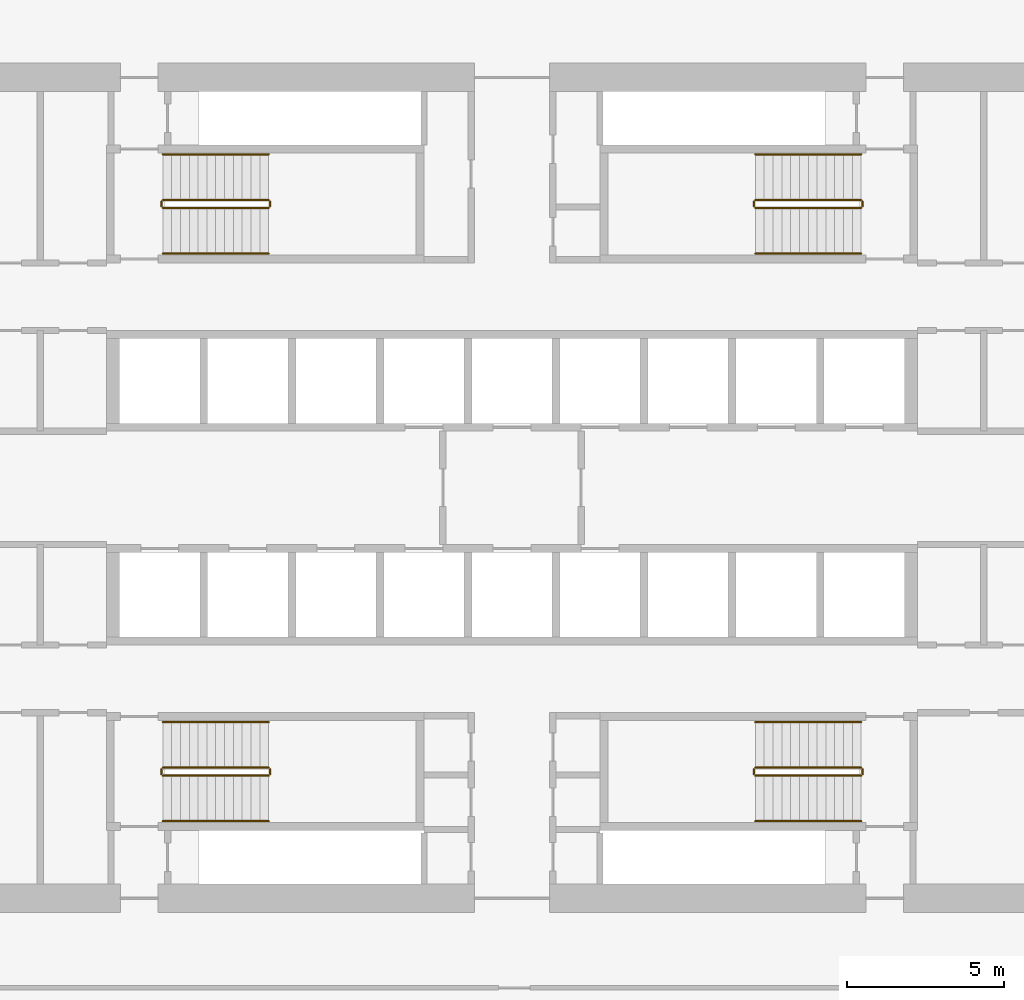
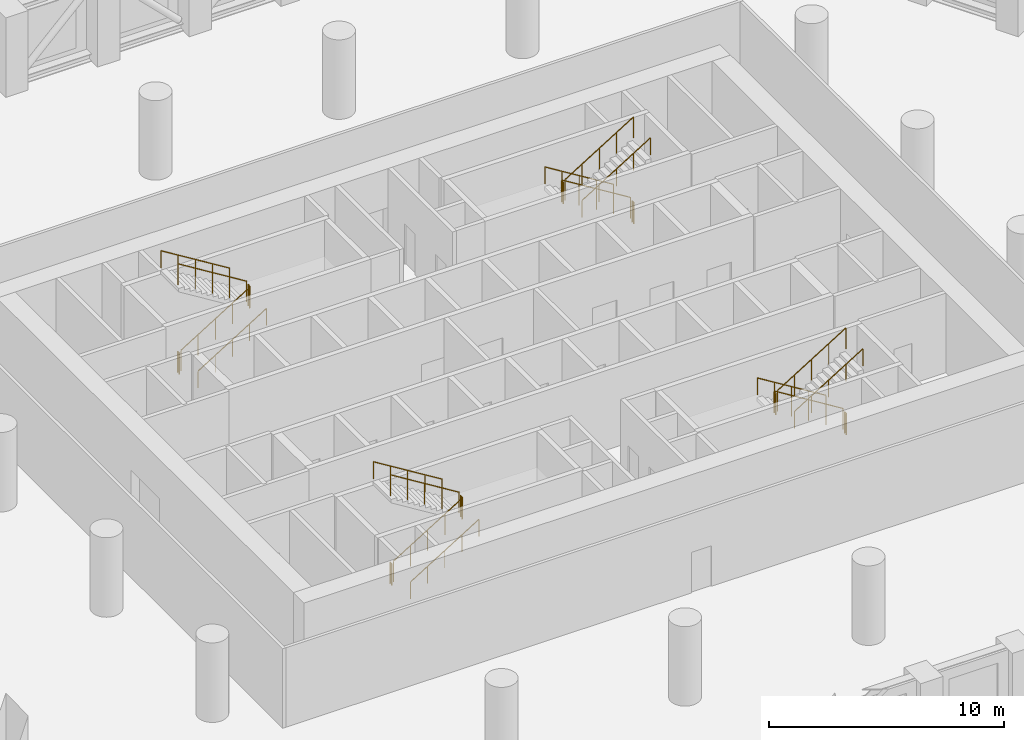
# One storey, part 18 of 18: 24 railings.
"""IFC4 building model written with IfcOpenShell, lengths in metres."""

from ifc_helpers import new_model, si_unit, direction, frame, origin, origin_2d, place, context, subcontext, project, spatial, circle, extrude, material, type_object, element, save


model = new_model("IFC4")

# Units and contexts
model_context = context("Model", 3, precision=1e-05, world=origin(), true_north=direction((0.0, 1.0)))
body_context = subcontext(model_context, "Body", "Model", "MODEL_VIEW")
ifc_project = project(units=[si_unit("LENGTHUNIT", "METRE"), si_unit("AREAUNIT", "SQUARE_METRE"), si_unit("VOLUMEUNIT", "CUBIC_METRE"), si_unit("PLANEANGLEUNIT", "RADIAN"), si_unit("MASSUNIT", "GRAM", prefix="KILO")], contexts=[model_context])

# Site, building, storey
site_placement = place(None, origin())
site = spatial("IfcSite", under=ifc_project, at=site_placement, CompositionType="ELEMENT")
building_placement = place(site_placement, origin())
building = spatial("IfcBuilding", under=site, at=building_placement, Name="Dhurran Vertical Campus", CompositionType="ELEMENT")
storey_placement = place(building_placement, frame((0.0, 0.0, 76.800048828125)))
storey = spatial("IfcBuildingStorey", under=building, at=storey_placement, Name="L18 Plant", CompositionType="ELEMENT", Elevation=76.800048828125)

# Railings
ifc_material_1 = material(Name="Stainless steel balustrade", Category="steel")
railing_type_1 = type_object("IfcRailingType", Name="co-RL-GUARD-1100", PredefinedType="GUARDRAIL", material=ifc_material_1)
railing_1_placement = place(storey_placement, frame((-11.10009765625, 8.89990234375, 0.173095703125)))
element("IfcRailing", 1, at=railing_1_placement, inside=storey, type_object=railing_type_1, Name="L18 Plant ST1 stair guard 1", PredefinedType="GUARDRAIL", context=body_context, shape_type="SweptSolid", body=[
    extrude(circle(Radius=0.02392578125, at=origin_2d()), frame((0.0, 0.0, 1.076171875), z_axis=(0.850623216509, 0.0, 0.525775754039), x_axis=(0.0, 1.0, 0.0)), (0.0, 0.0, 1.0), 3.9501953125),
    extrude(circle(Radius=0.02099609375, at=origin_2d()), origin(), (0.0, 0.0, 1.0), 1.052001953125),
    extrude(circle(Radius=0.02099609375, at=origin_2d()), frame((0.840087890625, 0.0, 0.519287109375)), (0.0, 0.0, 1.0), 1.052001953125),
    extrude(circle(Radius=0.02099609375, at=origin_2d()), frame((1.68017578125, 0.0, 1.03857421875)), (0.0, 0.0, 1.0), 1.052001953125),
    extrude(circle(Radius=0.02099609375, at=origin_2d()), frame((2.52001953125, 0.0, 1.5576171875)), (0.0, 0.0, 1.0), 1.052001953125),
    extrude(circle(Radius=0.02099609375, at=origin_2d()), frame((3.360107421875, 0.0, 2.076904296875)), (0.0, 0.0, 1.0), 1.052001953125),
])
railing_2_placement = place(storey_placement, frame((-7.68994140625, 8.949951171875, 2.25)))
element("IfcRailing", 2, at=railing_2_placement, inside=storey, type_object=railing_type_1, Name="L18 Plant ST1 stair guard 2", PredefinedType="GUARDRAIL", context=body_context, shape_type="SweptSolid", body=[
    extrude(circle(Radius=0.02392578125, at=origin_2d()), frame((0.0, 0.0, 1.076171875), z_axis=(0.0, 1.0, 0.0), x_axis=(-1.0, 0.0, 0.0)), (0.0, 0.0, 1.0), 0.150146484375),
    extrude(circle(Radius=0.02099609375, at=origin_2d()), origin(), (0.0, 0.0, 1.0), 1.052001953125),
    extrude(circle(Radius=0.02099609375, at=origin_2d()), frame((0.0, 0.150146484375, 0.0)), (0.0, 0.0, 1.0), 1.052001953125),
])
railing_3_placement = place(storey_placement, frame((-7.739990234375, 9.14990234375, 2.423095703125)))
element("IfcRailing", 3, at=railing_3_placement, inside=storey, type_object=railing_type_1, Name="L18 Plant ST1 stair guard 3", PredefinedType="GUARDRAIL", context=body_context, shape_type="SweptSolid", body=[
    extrude(circle(Radius=0.02392578125, at=origin_2d()), frame((0.0, 0.0, 1.076171875), z_axis=(-0.850623216509, 0.0, 0.525775754039), x_axis=(0.0, -1.0, 0.0)), (0.0, 0.0, 1.0), 3.9501953125),
    extrude(circle(Radius=0.02099609375, at=origin_2d()), origin(), (0.0, 0.0, 1.0), 1.052001953125),
    extrude(circle(Radius=0.02099609375, at=origin_2d()), frame((-0.840087890625, 0.0, 0.519287109375)), (0.0, 0.0, 1.0), 1.052001953125),
    extrude(circle(Radius=0.02099609375, at=origin_2d()), frame((-1.68017578125, 0.0, 1.03857421875)), (0.0, 0.0, 1.0), 1.052001953125),
    extrude(circle(Radius=0.02099609375, at=origin_2d()), frame((-2.52001953125, 0.0, 1.5576171875)), (0.0, 0.0, 1.0), 1.052001953125),
    extrude(circle(Radius=0.02099609375, at=origin_2d()), frame((-3.360107421875, 0.0, 2.076904296875)), (0.0, 0.0, 1.0), 1.052001953125),
])
railing_4_placement = place(storey_placement, frame((-11.14990234375, 8.949951171875, 0.0)))
element("IfcRailing", 4, at=railing_4_placement, inside=storey, type_object=railing_type_1, Name="L18 Plant ST1 stair guard 4", PredefinedType="GUARDRAIL", context=body_context, shape_type="SweptSolid", body=[
    extrude(circle(Radius=0.02392578125, at=origin_2d()), frame((0.0, 0.0, 1.076171875), z_axis=(0.0, 1.0, 0.0), x_axis=(-1.0, 0.0, 0.0)), (0.0, 0.0, 1.0), 0.150146484375),
    extrude(circle(Radius=0.02099609375, at=origin_2d()), origin(), (0.0, 0.0, 1.0), 1.052001953125),
    extrude(circle(Radius=0.02099609375, at=origin_2d()), frame((0.0, 0.150146484375, 0.0)), (0.0, 0.0, 1.0), 1.052001953125),
])
railing_5_placement = place(storey_placement, frame((11.10009765625, 9.14990234375, 0.173095703125)))
element("IfcRailing", 5, at=railing_5_placement, inside=storey, type_object=railing_type_1, Name="L18 Plant ST2 stair guard 1", PredefinedType="GUARDRAIL", context=body_context, shape_type="SweptSolid", body=[
    extrude(circle(Radius=0.02392578125, at=origin_2d()), frame((0.0, 0.0, 1.076171875), z_axis=(-0.850623216509, 0.0, 0.525775754039), x_axis=(0.0, -1.0, 0.0)), (0.0, 0.0, 1.0), 3.9501953125),
    extrude(circle(Radius=0.02099609375, at=origin_2d()), origin(), (0.0, 0.0, 1.0), 1.052001953125),
    extrude(circle(Radius=0.02099609375, at=origin_2d()), frame((-0.840087890625, 0.0, 0.519287109375)), (0.0, 0.0, 1.0), 1.052001953125),
    extrude(circle(Radius=0.02099609375, at=origin_2d()), frame((-1.68017578125, 0.0, 1.03857421875)), (0.0, 0.0, 1.0), 1.052001953125),
    extrude(circle(Radius=0.02099609375, at=origin_2d()), frame((-2.52001953125, 0.0, 1.5576171875)), (0.0, 0.0, 1.0), 1.052001953125),
    extrude(circle(Radius=0.02099609375, at=origin_2d()), frame((-3.360107421875, 0.0, 2.076904296875)), (0.0, 0.0, 1.0), 1.052001953125),
])
railing_6_placement = place(storey_placement, frame((7.68994140625, 9.10009765625, 2.25)))
element("IfcRailing", 6, at=railing_6_placement, inside=storey, type_object=railing_type_1, Name="L18 Plant ST2 stair guard 2", PredefinedType="GUARDRAIL", context=body_context, shape_type="SweptSolid", body=[
    extrude(circle(Radius=0.02392578125, at=origin_2d()), frame((0.0, 0.0, 1.076171875), z_axis=(0.0, -1.0, 0.0), x_axis=(1.0, 0.0, 0.0)), (0.0, 0.0, 1.0), 0.150146484375),
    extrude(circle(Radius=0.02099609375, at=origin_2d()), origin(), (0.0, 0.0, 1.0), 1.052001953125),
    extrude(circle(Radius=0.02099609375, at=origin_2d()), frame((0.0, -0.150146484375, 0.0)), (0.0, 0.0, 1.0), 1.052001953125),
])
railing_7_placement = place(storey_placement, frame((7.739990234375, 8.89990234375, 2.423095703125)))
element("IfcRailing", 7, at=railing_7_placement, inside=storey, type_object=railing_type_1, Name="L18 Plant ST2 stair guard 3", PredefinedType="GUARDRAIL", context=body_context, shape_type="SweptSolid", body=[
    extrude(circle(Radius=0.02392578125, at=origin_2d()), frame((0.0, 0.0, 1.076171875), z_axis=(0.850623216509, 0.0, 0.525775754039), x_axis=(0.0, 1.0, 0.0)), (0.0, 0.0, 1.0), 3.9501953125),
    extrude(circle(Radius=0.02099609375, at=origin_2d()), origin(), (0.0, 0.0, 1.0), 1.052001953125),
    extrude(circle(Radius=0.02099609375, at=origin_2d()), frame((0.840087890625, 0.0, 0.519287109375)), (0.0, 0.0, 1.0), 1.052001953125),
    extrude(circle(Radius=0.02099609375, at=origin_2d()), frame((1.68017578125, 0.0, 1.03857421875)), (0.0, 0.0, 1.0), 1.052001953125),
    extrude(circle(Radius=0.02099609375, at=origin_2d()), frame((2.52001953125, 0.0, 1.5576171875)), (0.0, 0.0, 1.0), 1.052001953125),
    extrude(circle(Radius=0.02099609375, at=origin_2d()), frame((3.360107421875, 0.0, 2.076904296875)), (0.0, 0.0, 1.0), 1.052001953125),
])
railing_8_placement = place(storey_placement, frame((11.14990234375, 9.10009765625, 0.0)))
element("IfcRailing", 8, at=railing_8_placement, inside=storey, type_object=railing_type_1, Name="L18 Plant ST2 stair guard 4", PredefinedType="GUARDRAIL", context=body_context, shape_type="SweptSolid", body=[
    extrude(circle(Radius=0.02392578125, at=origin_2d()), frame((0.0, 0.0, 1.076171875), z_axis=(0.0, -1.0, 0.0), x_axis=(1.0, 0.0, 0.0)), (0.0, 0.0, 1.0), 0.150146484375),
    extrude(circle(Radius=0.02099609375, at=origin_2d()), origin(), (0.0, 0.0, 1.0), 1.052001953125),
    extrude(circle(Radius=0.02099609375, at=origin_2d()), frame((0.0, -0.150146484375, 0.0)), (0.0, 0.0, 1.0), 1.052001953125),
])
railing_9_placement = place(storey_placement, frame((-11.10009765625, -9.14990234375, 0.173095703125)))
element("IfcRailing", 9, at=railing_9_placement, inside=storey, type_object=railing_type_1, Name="L18 Plant ST3 stair guard 1", PredefinedType="GUARDRAIL", context=body_context, shape_type="SweptSolid", body=[
    extrude(circle(Radius=0.02392578125, at=origin_2d()), frame((0.0, 0.0, 1.076171875), z_axis=(0.850623216509, 0.0, 0.525775754039), x_axis=(0.0, 1.0, 0.0)), (0.0, 0.0, 1.0), 3.9501953125),
    extrude(circle(Radius=0.02099609375, at=origin_2d()), origin(), (0.0, 0.0, 1.0), 1.052001953125),
    extrude(circle(Radius=0.02099609375, at=origin_2d()), frame((0.840087890625, 0.0, 0.519287109375)), (0.0, 0.0, 1.0), 1.052001953125),
    extrude(circle(Radius=0.02099609375, at=origin_2d()), frame((1.68017578125, 0.0, 1.03857421875)), (0.0, 0.0, 1.0), 1.052001953125),
    extrude(circle(Radius=0.02099609375, at=origin_2d()), frame((2.52001953125, 0.0, 1.5576171875)), (0.0, 0.0, 1.0), 1.052001953125),
    extrude(circle(Radius=0.02099609375, at=origin_2d()), frame((3.360107421875, 0.0, 2.076904296875)), (0.0, 0.0, 1.0), 1.052001953125),
])
railing_10_placement = place(storey_placement, frame((-7.68994140625, -9.10009765625, 2.25)))
element("IfcRailing", 10, at=railing_10_placement, inside=storey, type_object=railing_type_1, Name="L18 Plant ST3 stair guard 2", PredefinedType="GUARDRAIL", context=body_context, shape_type="SweptSolid", body=[
    extrude(circle(Radius=0.02392578125, at=origin_2d()), frame((0.0, 0.0, 1.076171875), z_axis=(0.0, 1.0, 0.0), x_axis=(-1.0, 0.0, 0.0)), (0.0, 0.0, 1.0), 0.150146484375),
    extrude(circle(Radius=0.02099609375, at=origin_2d()), origin(), (0.0, 0.0, 1.0), 1.052001953125),
    extrude(circle(Radius=0.02099609375, at=origin_2d()), frame((0.0, 0.150146484375, 0.0)), (0.0, 0.0, 1.0), 1.052001953125),
])
railing_11_placement = place(storey_placement, frame((-7.739990234375, -8.89990234375, 2.423095703125)))
element("IfcRailing", 11, at=railing_11_placement, inside=storey, type_object=railing_type_1, Name="L18 Plant ST3 stair guard 3", PredefinedType="GUARDRAIL", context=body_context, shape_type="SweptSolid", body=[
    extrude(circle(Radius=0.02392578125, at=origin_2d()), frame((0.0, 0.0, 1.076171875), z_axis=(-0.850623216509, 0.0, 0.525775754039), x_axis=(0.0, -1.0, 0.0)), (0.0, 0.0, 1.0), 3.9501953125),
    extrude(circle(Radius=0.02099609375, at=origin_2d()), origin(), (0.0, 0.0, 1.0), 1.052001953125),
    extrude(circle(Radius=0.02099609375, at=origin_2d()), frame((-0.840087890625, 0.0, 0.519287109375)), (0.0, 0.0, 1.0), 1.052001953125),
    extrude(circle(Radius=0.02099609375, at=origin_2d()), frame((-1.68017578125, 0.0, 1.03857421875)), (0.0, 0.0, 1.0), 1.052001953125),
    extrude(circle(Radius=0.02099609375, at=origin_2d()), frame((-2.52001953125, 0.0, 1.5576171875)), (0.0, 0.0, 1.0), 1.052001953125),
    extrude(circle(Radius=0.02099609375, at=origin_2d()), frame((-3.360107421875, 0.0, 2.076904296875)), (0.0, 0.0, 1.0), 1.052001953125),
])
railing_12_placement = place(storey_placement, frame((-11.14990234375, -9.10009765625, 0.0)))
element("IfcRailing", 12, at=railing_12_placement, inside=storey, type_object=railing_type_1, Name="L18 Plant ST3 stair guard 4", PredefinedType="GUARDRAIL", context=body_context, shape_type="SweptSolid", body=[
    extrude(circle(Radius=0.02392578125, at=origin_2d()), frame((0.0, 0.0, 1.076171875), z_axis=(0.0, 1.0, 0.0), x_axis=(-1.0, 0.0, 0.0)), (0.0, 0.0, 1.0), 0.150146484375),
    extrude(circle(Radius=0.02099609375, at=origin_2d()), origin(), (0.0, 0.0, 1.0), 1.052001953125),
    extrude(circle(Radius=0.02099609375, at=origin_2d()), frame((0.0, 0.150146484375, 0.0)), (0.0, 0.0, 1.0), 1.052001953125),
])
railing_13_placement = place(storey_placement, frame((11.10009765625, -8.89990234375, 0.173095703125)))
element("IfcRailing", 13, at=railing_13_placement, inside=storey, type_object=railing_type_1, Name="L18 Plant ST4 stair guard 1", PredefinedType="GUARDRAIL", context=body_context, shape_type="SweptSolid", body=[
    extrude(circle(Radius=0.02392578125, at=origin_2d()), frame((0.0, 0.0, 1.076171875), z_axis=(-0.850623216509, 0.0, 0.525775754039), x_axis=(0.0, -1.0, 0.0)), (0.0, 0.0, 1.0), 3.9501953125),
    extrude(circle(Radius=0.02099609375, at=origin_2d()), origin(), (0.0, 0.0, 1.0), 1.052001953125),
    extrude(circle(Radius=0.02099609375, at=origin_2d()), frame((-0.840087890625, 0.0, 0.519287109375)), (0.0, 0.0, 1.0), 1.052001953125),
    extrude(circle(Radius=0.02099609375, at=origin_2d()), frame((-1.68017578125, 0.0, 1.03857421875)), (0.0, 0.0, 1.0), 1.052001953125),
    extrude(circle(Radius=0.02099609375, at=origin_2d()), frame((-2.52001953125, 0.0, 1.5576171875)), (0.0, 0.0, 1.0), 1.052001953125),
    extrude(circle(Radius=0.02099609375, at=origin_2d()), frame((-3.360107421875, 0.0, 2.076904296875)), (0.0, 0.0, 1.0), 1.052001953125),
])
railing_14_placement = place(storey_placement, frame((7.68994140625, -8.949951171875, 2.25)))
element("IfcRailing", 14, at=railing_14_placement, inside=storey, type_object=railing_type_1, Name="L18 Plant ST4 stair guard 2", PredefinedType="GUARDRAIL", context=body_context, shape_type="SweptSolid", body=[
    extrude(circle(Radius=0.02392578125, at=origin_2d()), frame((0.0, 0.0, 1.076171875), z_axis=(0.0, -1.0, 0.0), x_axis=(1.0, 0.0, 0.0)), (0.0, 0.0, 1.0), 0.150146484375),
    extrude(circle(Radius=0.02099609375, at=origin_2d()), origin(), (0.0, 0.0, 1.0), 1.052001953125),
    extrude(circle(Radius=0.02099609375, at=origin_2d()), frame((0.0, -0.150146484375, 0.0)), (0.0, 0.0, 1.0), 1.052001953125),
])
railing_15_placement = place(storey_placement, frame((7.739990234375, -9.14990234375, 2.423095703125)))
element("IfcRailing", 15, at=railing_15_placement, inside=storey, type_object=railing_type_1, Name="L18 Plant ST4 stair guard 3", PredefinedType="GUARDRAIL", context=body_context, shape_type="SweptSolid", body=[
    extrude(circle(Radius=0.02392578125, at=origin_2d()), frame((0.0, 0.0, 1.076171875), z_axis=(0.850623216509, 0.0, 0.525775754039), x_axis=(0.0, 1.0, 0.0)), (0.0, 0.0, 1.0), 3.9501953125),
    extrude(circle(Radius=0.02099609375, at=origin_2d()), origin(), (0.0, 0.0, 1.0), 1.052001953125),
    extrude(circle(Radius=0.02099609375, at=origin_2d()), frame((0.840087890625, 0.0, 0.519287109375)), (0.0, 0.0, 1.0), 1.052001953125),
    extrude(circle(Radius=0.02099609375, at=origin_2d()), frame((1.68017578125, 0.0, 1.03857421875)), (0.0, 0.0, 1.0), 1.052001953125),
    extrude(circle(Radius=0.02099609375, at=origin_2d()), frame((2.52001953125, 0.0, 1.5576171875)), (0.0, 0.0, 1.0), 1.052001953125),
    extrude(circle(Radius=0.02099609375, at=origin_2d()), frame((3.360107421875, 0.0, 2.076904296875)), (0.0, 0.0, 1.0), 1.052001953125),
])
railing_16_placement = place(storey_placement, frame((11.14990234375, -8.949951171875, 0.0)))
element("IfcRailing", 16, at=railing_16_placement, inside=storey, type_object=railing_type_1, Name="L18 Plant ST4 stair guard 4", PredefinedType="GUARDRAIL", context=body_context, shape_type="SweptSolid", body=[
    extrude(circle(Radius=0.02392578125, at=origin_2d()), frame((0.0, 0.0, 1.076171875), z_axis=(0.0, -1.0, 0.0), x_axis=(1.0, 0.0, 0.0)), (0.0, 0.0, 1.0), 0.150146484375),
    extrude(circle(Radius=0.02099609375, at=origin_2d()), origin(), (0.0, 0.0, 1.0), 1.052001953125),
    extrude(circle(Radius=0.02099609375, at=origin_2d()), frame((0.0, -0.150146484375, 0.0)), (0.0, 0.0, 1.0), 1.052001953125),
])
ifc_material_2 = material(Name="Stainless steel handrail", Category="steel")
railing_type_2 = type_object("IfcRailingType", Name="co-RL-HANDRAIL-900", PredefinedType="HANDRAIL", material=ifc_material_2)
railing_17_placement = place(storey_placement, frame((-11.10009765625, 7.449951171875, 0.173095703125)))
element("IfcRailing", 17, at=railing_17_placement, inside=storey, type_object=railing_type_2, Name="L18 Plant ST1 stair handrail 1", PredefinedType="HANDRAIL", context=body_context, shape_type="SweptSolid", body=[
    extrude(circle(Radius=0.02392578125, at=origin_2d()), frame((0.0, 0.0, 0.8759765625), z_axis=(0.850623216509, 0.0, 0.525775754039), x_axis=(0.0, 1.0, 0.0)), (0.0, 0.0, 1.0), 3.9501953125),
    extrude(circle(Radius=0.02099609375, at=origin_2d()), origin(), (0.0, 0.0, 1.0), 0.851806640625),
    extrude(circle(Radius=0.02099609375, at=origin_2d()), frame((0.840087890625, 0.0, 0.519287109375)), (0.0, 0.0, 1.0), 0.851806640625),
    extrude(circle(Radius=0.02099609375, at=origin_2d()), frame((1.68017578125, 0.0, 1.03857421875)), (0.0, 0.0, 1.0), 0.851806640625),
    extrude(circle(Radius=0.02099609375, at=origin_2d()), frame((2.52001953125, 0.0, 1.5576171875)), (0.0, 0.0, 1.0), 0.851806640625),
    extrude(circle(Radius=0.02099609375, at=origin_2d()), frame((3.360107421875, 0.0, 2.076904296875)), (0.0, 0.0, 1.0), 0.851806640625),
])
for number, where, name in (
    (18, (-7.739990234375, 10.60009765625, 2.423095703125), "L18 Plant ST1 stair handrail 2"),
    (19, (11.10009765625, 10.60009765625, 0.173095703125), "L18 Plant ST2 stair handrail 1"),
):
    element("IfcRailing", number, at=place(storey_placement, frame(where)), inside=storey, type_object=railing_type_2, Name=name, PredefinedType="HANDRAIL", context=body_context, shape_type="SweptSolid", body=[
        extrude(circle(Radius=0.02392578125, at=origin_2d()), frame((0.0, 0.0, 0.8759765625), z_axis=(-0.850623216509, 0.0, 0.525775754039), x_axis=(0.0, -1.0, 0.0)), (0.0, 0.0, 1.0), 3.9501953125),
        extrude(circle(Radius=0.02099609375, at=origin_2d()), origin(), (0.0, 0.0, 1.0), 0.851806640625),
        extrude(circle(Radius=0.02099609375, at=origin_2d()), frame((-0.840087890625, 0.0, 0.519287109375)), (0.0, 0.0, 1.0), 0.851806640625),
        extrude(circle(Radius=0.02099609375, at=origin_2d()), frame((-1.68017578125, 0.0, 1.03857421875)), (0.0, 0.0, 1.0), 0.851806640625),
        extrude(circle(Radius=0.02099609375, at=origin_2d()), frame((-2.52001953125, 0.0, 1.5576171875)), (0.0, 0.0, 1.0), 0.851806640625),
        extrude(circle(Radius=0.02099609375, at=origin_2d()), frame((-3.360107421875, 0.0, 2.076904296875)), (0.0, 0.0, 1.0), 0.851806640625),
    ])
for number, where, name in (
    (20, (7.739990234375, 7.449951171875, 2.423095703125), "L18 Plant ST2 stair handrail 2"),
    (21, (-11.10009765625, -10.60009765625, 0.173095703125), "L18 Plant ST3 stair handrail 1"),
):
    element("IfcRailing", number, at=place(storey_placement, frame(where)), inside=storey, type_object=railing_type_2, Name=name, PredefinedType="HANDRAIL", context=body_context, shape_type="SweptSolid", body=[
        extrude(circle(Radius=0.02392578125, at=origin_2d()), frame((0.0, 0.0, 0.8759765625), z_axis=(0.850623216509, 0.0, 0.525775754039), x_axis=(0.0, 1.0, 0.0)), (0.0, 0.0, 1.0), 3.9501953125),
        extrude(circle(Radius=0.02099609375, at=origin_2d()), origin(), (0.0, 0.0, 1.0), 0.851806640625),
        extrude(circle(Radius=0.02099609375, at=origin_2d()), frame((0.840087890625, 0.0, 0.519287109375)), (0.0, 0.0, 1.0), 0.851806640625),
        extrude(circle(Radius=0.02099609375, at=origin_2d()), frame((1.68017578125, 0.0, 1.03857421875)), (0.0, 0.0, 1.0), 0.851806640625),
        extrude(circle(Radius=0.02099609375, at=origin_2d()), frame((2.52001953125, 0.0, 1.5576171875)), (0.0, 0.0, 1.0), 0.851806640625),
        extrude(circle(Radius=0.02099609375, at=origin_2d()), frame((3.360107421875, 0.0, 2.076904296875)), (0.0, 0.0, 1.0), 0.851806640625),
    ])
for number, where, name in (
    (22, (-7.739990234375, -7.449951171875, 2.423095703125), "L18 Plant ST3 stair handrail 2"),
    (23, (11.10009765625, -7.449951171875, 0.173095703125), "L18 Plant ST4 stair handrail 1"),
):
    element("IfcRailing", number, at=place(storey_placement, frame(where)), inside=storey, type_object=railing_type_2, Name=name, PredefinedType="HANDRAIL", context=body_context, shape_type="SweptSolid", body=[
        extrude(circle(Radius=0.02392578125, at=origin_2d()), frame((0.0, 0.0, 0.8759765625), z_axis=(-0.850623216509, 0.0, 0.525775754039), x_axis=(0.0, -1.0, 0.0)), (0.0, 0.0, 1.0), 3.9501953125),
        extrude(circle(Radius=0.02099609375, at=origin_2d()), origin(), (0.0, 0.0, 1.0), 0.851806640625),
        extrude(circle(Radius=0.02099609375, at=origin_2d()), frame((-0.840087890625, 0.0, 0.519287109375)), (0.0, 0.0, 1.0), 0.851806640625),
        extrude(circle(Radius=0.02099609375, at=origin_2d()), frame((-1.68017578125, 0.0, 1.03857421875)), (0.0, 0.0, 1.0), 0.851806640625),
        extrude(circle(Radius=0.02099609375, at=origin_2d()), frame((-2.52001953125, 0.0, 1.5576171875)), (0.0, 0.0, 1.0), 0.851806640625),
        extrude(circle(Radius=0.02099609375, at=origin_2d()), frame((-3.360107421875, 0.0, 2.076904296875)), (0.0, 0.0, 1.0), 0.851806640625),
    ])
railing_18_placement = place(storey_placement, frame((7.739990234375, -10.60009765625, 2.423095703125)))
element("IfcRailing", 24, at=railing_18_placement, inside=storey, type_object=railing_type_2, Name="L18 Plant ST4 stair handrail 2", PredefinedType="HANDRAIL", context=body_context, shape_type="SweptSolid", body=[
    extrude(circle(Radius=0.02392578125, at=origin_2d()), frame((0.0, 0.0, 0.8759765625), z_axis=(0.850623216509, 0.0, 0.525775754039), x_axis=(0.0, 1.0, 0.0)), (0.0, 0.0, 1.0), 3.9501953125),
    extrude(circle(Radius=0.02099609375, at=origin_2d()), origin(), (0.0, 0.0, 1.0), 0.851806640625),
    extrude(circle(Radius=0.02099609375, at=origin_2d()), frame((0.840087890625, 0.0, 0.519287109375)), (0.0, 0.0, 1.0), 0.851806640625),
    extrude(circle(Radius=0.02099609375, at=origin_2d()), frame((1.68017578125, 0.0, 1.03857421875)), (0.0, 0.0, 1.0), 0.851806640625),
    extrude(circle(Radius=0.02099609375, at=origin_2d()), frame((2.52001953125, 0.0, 1.5576171875)), (0.0, 0.0, 1.0), 0.851806640625),
    extrude(circle(Radius=0.02099609375, at=origin_2d()), frame((3.360107421875, 0.0, 2.076904296875)), (0.0, 0.0, 1.0), 0.851806640625),
])

save(model, "model.ifc")
